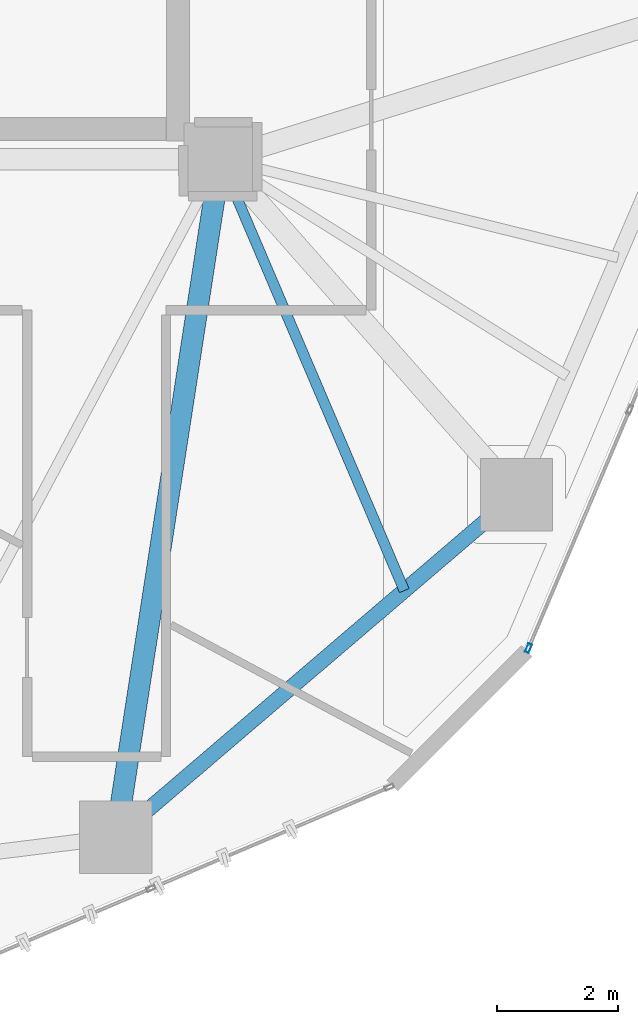
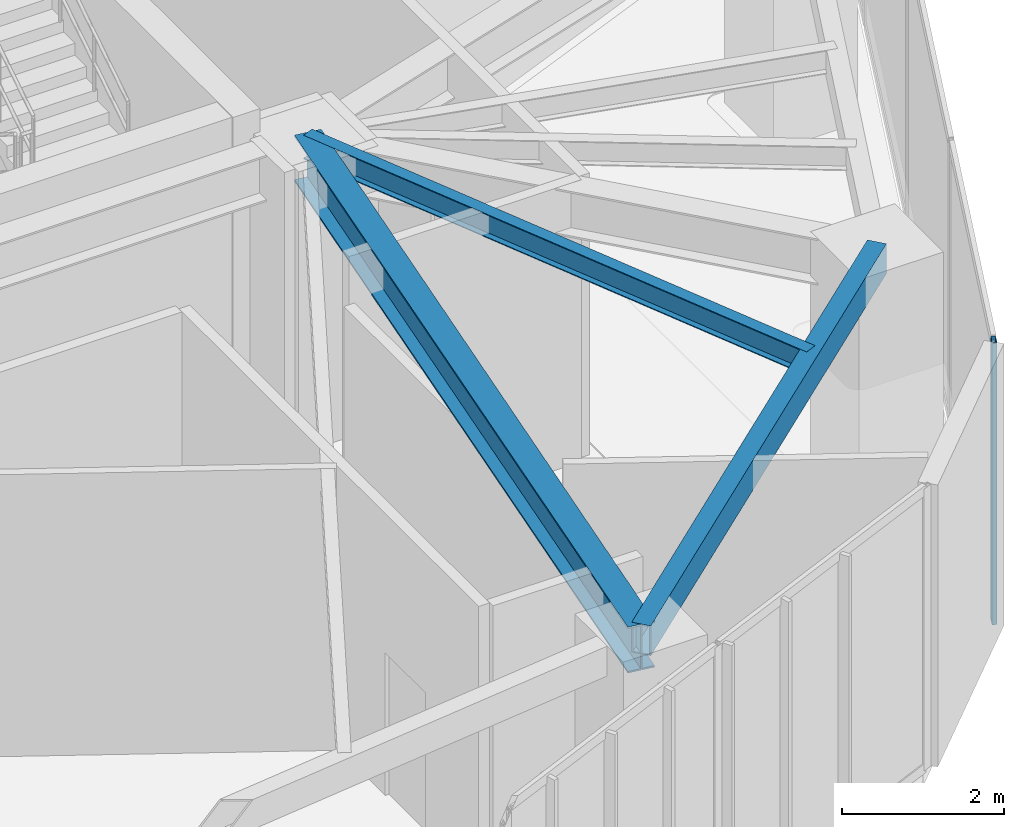
# One storey, part 8 of 28: 3 beams, 1 member, 1 element without a shape of its own.
"""IFC4 building model written with IfcOpenShell, lengths in metres."""

from ifc_helpers import new_model, si_unit, direction, frame, origin, origin_2d, place, context, subcontext, project, spatial, hollow_rectangle, i_section, extrude, source, transform, mapped, material, layer, layer_set, material_profile, profile_set, type_object, type_shapes, element, aggregate, save


model = new_model("IFC4")

# Units and contexts
model_context = context("Model", 3, precision=1e-05, world=origin(), true_north=direction((0.0, 1.0)))
body_context = subcontext(model_context, "Body", "Model", "MODEL_VIEW")
ifc_project = project(units=[si_unit("LENGTHUNIT", "METRE"), si_unit("AREAUNIT", "SQUARE_METRE"), si_unit("VOLUMEUNIT", "CUBIC_METRE"), si_unit("PLANEANGLEUNIT", "RADIAN"), si_unit("MASSUNIT", "GRAM", prefix="KILO")], contexts=[model_context])

# Site, building, storey
site_placement = place(None, origin())
site = spatial("IfcSite", under=ifc_project, at=site_placement, CompositionType="ELEMENT")
building_placement = place(site_placement, origin())
building = spatial("IfcBuilding", under=site, at=building_placement, Name="Talar Marvaseh", CompositionType="ELEMENT")
storey_placement = place(building_placement, frame((0.0, 0.0, 157.800048828125)))
storey = spatial("IfcBuildingStorey", under=building, at=storey_placement, Name="L41", CompositionType="ELEMENT", Elevation=157.800048828125)

# Beams
ifc_material_1 = material(Name="Steel S355", Category="steel")
ifc_material_profile_1 = material_profile(ifc_material_1, hollow_rectangle(XDim=0.25, YDim=0.449951171875, WallThickness=0.01611328125, at=origin_2d()), Name="RHS450x250x16")
ifc_profile_set_1 = profile_set([ifc_material_profile_1], Name="Steel S355")
beam_type_1 = type_object("IfcBeamType", Name="Zone 2 Perimeter Spandrel Beam RHS450x250x16", PredefinedType="SPANDREL", material=ifc_profile_set_1)
beam_1_placement = place(storey_placement, frame((38.2060546875, 19.94091796875, 4.02490234375), z_axis=(-0.76011265597, -0.649791312833, 0.0), x_axis=(0.649791312833, -0.76011265597, 0.0)))
element("IfcBeam", 1, at=beam_1_placement, inside=storey, type_object=beam_type_1, Name="L41 Zone 2 Perimeter Spandrel Beam RHS450x250x16", PredefinedType="SPANDREL", context=body_context, shape_type="SweptSolid", body=[
    extrude(hollow_rectangle(XDim=0.25, YDim=0.449951171875, WallThickness=0.01611328125, at=origin_2d()), origin(), (0.0, 0.0, 1.0), 8.730224609375),
])
ifc_material_profile_2 = material_profile(ifc_material_1, i_section(OverallWidth=0.35498046875, OverallDepth=0.695068359375, WebThickness=0.015380859375, FlangeThickness=0.02490234375, at=origin_2d()), Name="W690x217")
ifc_profile_set_2 = profile_set([ifc_material_profile_2], Name="Steel S355")
beam_type_2 = type_object("IfcBeamType", Name="Zone 2 Radial Floor Girder W690x217", PredefinedType="BEAM", material=ifc_profile_set_2)
beam_2_placement = place(storey_placement, frame((31.570068359375, 14.26806640625, 3.90234375), z_axis=(0.152228300633, 0.98834535689, 0.0), x_axis=(-0.98834535689, 0.152228300633, 0.0)))
element("IfcBeam", 2, at=beam_2_placement, inside=storey, type_object=beam_type_2, Name="L41 Zone 2 Radial Floor Girder W690x217", PredefinedType="BEAM", context=body_context, shape_type="SweptSolid", body=[
    extrude(i_section(OverallWidth=0.35498046875, OverallDepth=0.695068359375, WebThickness=0.015380859375, FlangeThickness=0.02490234375, at=origin_2d()), origin(), (0.0, 0.0, 1.0), 11.364501953125),
])
ifc_material_profile_3 = material_profile(ifc_material_1, i_section(OverallWidth=0.172119140625, OverallDepth=0.35791015625, WebThickness=0.0078125, FlangeThickness=0.01318359375, at=origin_2d()), Name="W360x57")
ifc_profile_set_3 = profile_set([ifc_material_profile_3], Name="Steel S355")
beam_type_3 = type_object("IfcBeamType", Name="Zone 2 Secondary Floor Joist W360x57", PredefinedType="JOIST", material=ifc_profile_set_3)
beam_3_placement = place(storey_placement, frame((36.347900390625, 18.3525390625, 4.071044921875), z_axis=(-0.39225012708, 0.919858596636, 0.0), x_axis=(-0.919858596636, -0.39225012708, 0.0)))
element("IfcBeam", 3, at=beam_3_placement, inside=storey, type_object=beam_type_3, Name="L41 Zone 2 Secondary Floor Joist W360x57", PredefinedType="JOIST", context=body_context, shape_type="SweptSolid", body=[
    extrude(i_section(OverallWidth=0.172119140625, OverallDepth=0.35791015625, WebThickness=0.0078125, FlangeThickness=0.01318359375, at=origin_2d()), origin(), (0.0, 0.0, 1.0), 7.770263671875),
])

# Curtain wall, member
ifc_material_2 = material(Name="Architectural Aluminium", Category="aluminium")
ifc_layer = layer(ifc_material_2, 0.239990234375)
ifc_layer_set = layer_set([ifc_layer], Name="Architectural Aluminium")
curtain_wall_type = type_object("IfcCurtainWallType", Name="Observation Sky Gallery Structural Glass Wall", PredefinedType="NOTDEFINED", material=ifc_layer_set)
curtain_wall_placement = place(storey_placement, origin())
curtain_wall = element("IfcCurtainWall", 4, at=curtain_wall_placement, inside=storey, type_object=curtain_wall_type, Name="L41 Observation Sky Gallery Structural Glass Wall", PredefinedType="NOTDEFINED")
ifc_material_profile_4 = material_profile(ifc_material_2, hollow_rectangle(XDim=0.06494140625, YDim=0.14990234375, WallThickness=0.00390625, at=origin_2d()), Name="RHS150x65x4")
ifc_profile_set_4 = profile_set([ifc_material_profile_4], Name="Architectural Aluminium")
member_type = type_object("IfcMemberType", Name="Unitised Curtain Wall Slim Mullion RHS150x65x4", PredefinedType="MULLION", material=ifc_profile_set_4)
shared_shape = source(origin(), body_context, "Body", "SweptSolid", [
    extrude(hollow_rectangle(XDim=0.06494140625, YDim=0.14990234375, WallThickness=0.00390625, at=origin_2d()), origin(), (0.0, 0.0, 1.0), 4.25),
])
type_shapes(member_type, [shared_shape])
member_placement = place(storey_placement, frame((38.405517578125, 17.399658203125, 0.0), z_axis=(0.0, 0.0, 1.0), x_axis=(0.920444238505, -0.390873897571, 0.0)))
member = element("IfcMember", 5, at=member_placement, type_object=member_type, Name="CW-OBS mullion 6", PredefinedType="MULLION", context=body_context, shape_type="MappedRepresentation", body=[
    mapped(shared_shape, transform((0.0, 0.0, 0.0), x_axis=(1.0, 0.0, 0.0), y_axis=(0.0, 1.0, 0.0), z_axis=(0.0, 0.0, 1.0), scale=1.0)),
])
aggregate(curtain_wall, [member])

save(model, "model.ifc")
